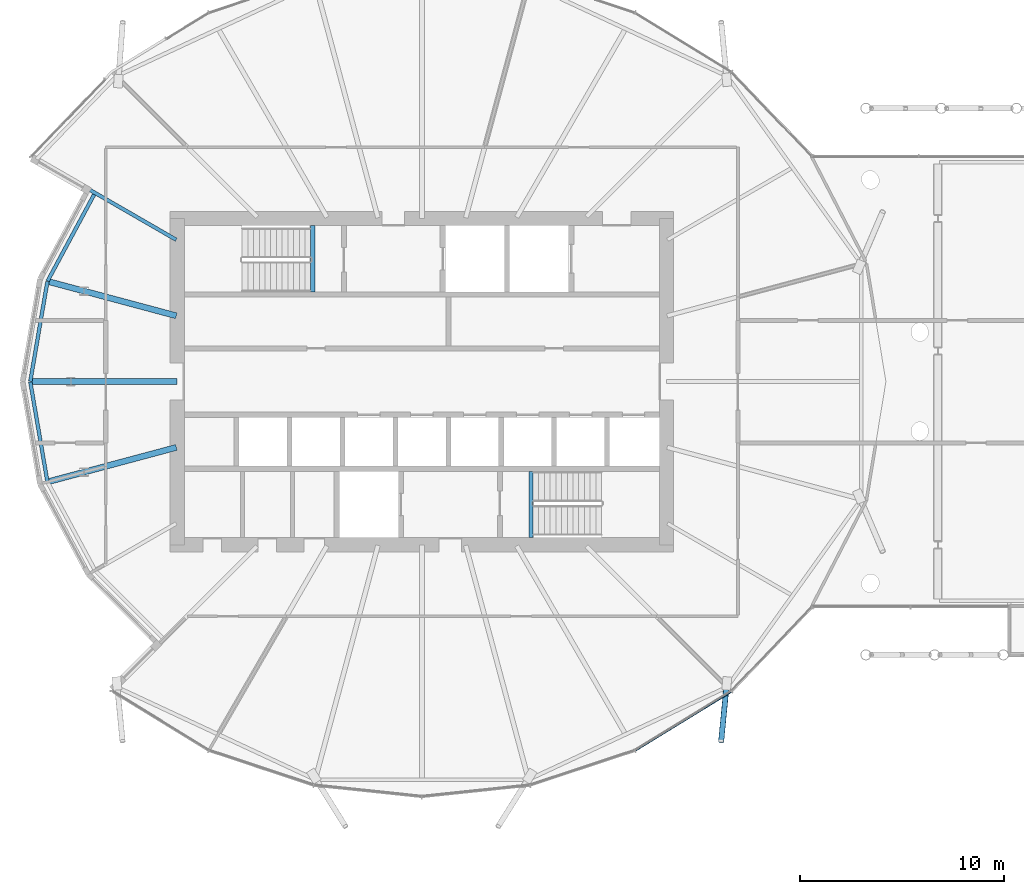
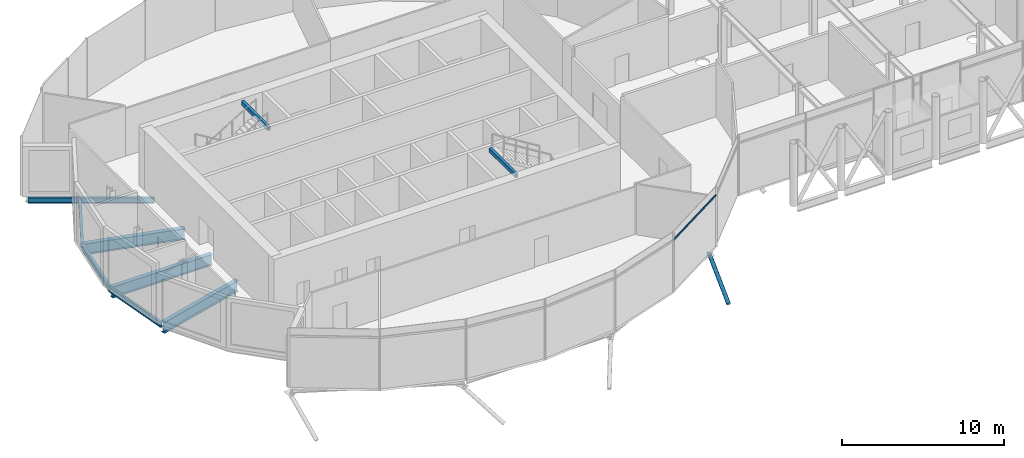
# One storey, part 5 of 36: 9 beams, 2 members, 1 element without a shape of its own.
"""IFC4 building model written with IfcOpenShell, lengths in metres."""

from ifc_helpers import new_model, si_unit, direction, frame, origin, origin_2d, place, context, subcontext, project, spatial, rectangle, hollow_rectangle, hollow_circle, i_section, extrude, clip, halfspace, material, material_profile, profile_set, type_object, element, aggregate, save


model = new_model("IFC4")

# Units and contexts
model_context = context("Model", 3, precision=1e-05, world=origin(), true_north=direction((0.0, 1.0)))
body_context = subcontext(model_context, "Body", "Model", "MODEL_VIEW")
ifc_project = project(units=[si_unit("LENGTHUNIT", "METRE"), si_unit("AREAUNIT", "SQUARE_METRE"), si_unit("VOLUMEUNIT", "CUBIC_METRE"), si_unit("PLANEANGLEUNIT", "RADIAN"), si_unit("MASSUNIT", "GRAM", prefix="KILO")], contexts=[model_context])

# Site, building, storey
site_placement = place(None, origin())
site = spatial("IfcSite", under=ifc_project, at=site_placement, CompositionType="ELEMENT")
building_placement = place(site_placement, origin())
building = spatial("IfcBuilding", under=site, at=building_placement, Name="Rimbun Link Towers", CompositionType="ELEMENT")
storey_placement = place(building_placement, frame((0.0, 0.0, 154.39990234375)))
storey = spatial("IfcBuildingStorey", under=building, at=storey_placement, Name="L37", CompositionType="ELEMENT", Elevation=154.39990234375)

# Curtain wall, member
ifc_material_1 = material(Name="Aluminium 6063-T6 and low-iron glass", Category="aluminium")
curtain_wall_type = type_object("IfcCurtainWallType", Name="CW5 full height lobby wall", PredefinedType="NOTDEFINED", material=ifc_material_1)
curtain_wall_placement = place(storey_placement, origin())
curtain_wall = element("IfcCurtainWall", 1, at=curtain_wall_placement, inside=storey, type_object=curtain_wall_type, Name="CW5 L37 T1", PredefinedType="NOTDEFINED")
ifc_material_2 = material(Name="Aluminium 6063-T6", Category="aluminium")
ifc_material_profile_1 = material_profile(ifc_material_2, rectangle(XDim=0.06005859375, YDim=0.1201171875, at=origin_2d()), Name="TRANSOM 60X120")
ifc_profile_set_1 = profile_set([ifc_material_profile_1], Name="Aluminium 6063-T6")
member_type_1 = type_object("IfcMemberType", Name="CW5 transom 60X120", PredefinedType="USERDEFINED", material=ifc_profile_set_1)
member_1_placement = place(storey_placement, frame((-16.5888671875, -15.22265625, 3.900146484375), z_axis=(-0.852189318435, -0.523233566914, 0.0), x_axis=(0.523233566914, -0.852189318435, 0.0)))
member_1 = element("IfcMember", 2, at=member_1_placement, type_object=member_type_1, Name="CW5 transom", ObjectType="TRANSOM", PredefinedType="USERDEFINED", context=body_context, shape_type="SweptSolid", body=[
    extrude(rectangle(XDim=0.06005859375, YDim=0.1201171875, at=origin_2d()), origin(), (0.0, 0.0, 1.0), 5.489013671875),
])
aggregate(curtain_wall, [member_1])

# Member
ifc_material_3 = material(Name="Steel S355J2H", Category="steel")
ifc_material_profile_2 = material_profile(ifc_material_3, hollow_circle(Radius=0.136474609375, WallThickness=0.012451171875, at=origin_2d()), Name="CHS 273x12.5")
ifc_profile_set_2 = profile_set([ifc_material_profile_2], Name="Steel S355J2H")
member_type_2 = type_object("IfcMemberType", Name="Floor edge link CHS 273x12.5", PredefinedType="BRACE", material=ifc_profile_set_2)
member_2_placement = place(storey_placement, frame((-16.81298828125, -14.93701171875, -0.826416015625), z_axis=(-0.079964346509, -0.825951437822, -0.558041150496), x_axis=(0.995346134985, -0.096364265003, 0.0)))
element("IfcMember", 3, at=member_2_placement, inside=storey, type_object=member_type_2, Name="Floor edge link T1 L37 21", PredefinedType="BRACE", context=body_context, shape_type="Clipping", body=[
    clip(extrude(hollow_circle(Radius=0.136474609375, WallThickness=0.012451171875, at=origin_2d()), frame((0.0, 0.0, -0.423828125)), (0.0, 0.0, 1.0), 3.708984375), halfspace(frame((0.0, 0.0, -0.19970703125), z_axis=(0.0, 0.8298132768, -0.558041150496)), False)),
])

# Beams
ifc_material_4 = material(Name="Steel S355J2", Category="steel")
ifc_material_profile_3 = material_profile(ifc_material_4, hollow_rectangle(XDim=0.199951171875, YDim=0.300048828125, WallThickness=0.011962890625, at=origin_2d()), Name="BOX 300x200x12")
ifc_profile_set_3 = profile_set([ifc_material_profile_3], Name="Steel S355J2")
beam_type_1 = type_object("IfcBeamType", Name="Stair trimmer beam BOX 300x200x12", PredefinedType="BEAM", material=ifc_profile_set_3)
for number, where, z_axis, x_axis, name in (
    (4, (-37.10009765625, 7.64990234375, 4.2001953125), (0.0, -1.0, 0.0), (1.0, 0.0, 0.0), "L37 ST1 stair beam 1"),
    (5, (-26.39990234375, -7.64990234375, 4.2001953125), (0.0, 1.0, 0.0), (-1.0, 0.0, 0.0), "L37 ST2 stair beam 1"),
):
    element("IfcBeam", number, at=place(storey_placement, frame(where, z_axis=z_axis, x_axis=x_axis)), inside=storey, type_object=beam_type_1, Name=name, PredefinedType="BEAM", context=body_context, shape_type="SweptSolid", body=[
        extrude(hollow_rectangle(XDim=0.199951171875, YDim=0.300048828125, WallThickness=0.011962890625, at=origin_2d()), origin(), (0.0, 0.0, 1.0), 3.25),
    ])
ifc_material_5 = material(Name="Steel S355J2", Category="steel")
ifc_material_profile_4 = material_profile(ifc_material_5, i_section(OverallWidth=0.177978515625, OverallDepth=0.406494140625, WebThickness=0.0078125, FlangeThickness=0.0126953125, at=origin_2d()), Name="UB 406x178x60")
ifc_profile_set_4 = profile_set([ifc_material_profile_4], Name="Steel S355J2")
beam_type_2 = type_object("IfcBeamType", Name="UB 406x178x60", PredefinedType="BEAM", material=ifc_profile_set_4)
beam_1_placement = place(storey_placement, frame((-43.79541015625, 6.954345703125, -0.383056640625), z_axis=(-0.866028250644, 0.499995069063, 0.0), x_axis=(-0.499995069063, -0.866028250644, 0.0)))
element("IfcBeam", 6, at=beam_1_placement, inside=storey, type_object=beam_type_2, Name="Radial beam T1 L37 10", PredefinedType="BEAM", context=body_context, shape_type="SweptSolid", body=[
    extrude(i_section(OverallWidth=0.177978515625, OverallDepth=0.406494140625, WebThickness=0.0078125, FlangeThickness=0.0126953125, at=origin_2d()), origin(), (0.0, 0.0, 1.0), 7.8037109375),
])
beam_2_placement = place(storey_placement, frame((-47.81884765625, 9.17041015625, -0.383056640625), z_axis=(-0.474036297712, -0.880505302909, 0.0), x_axis=(0.880505302909, -0.474036297712, 0.0)))
element("IfcBeam", 7, at=beam_2_placement, inside=storey, type_object=beam_type_2, Name="Edge beam T1 L37 10 recess", PredefinedType="BEAM", context=body_context, shape_type="SweptSolid", body=[
    extrude(i_section(OverallWidth=0.177978515625, OverallDepth=0.406494140625, WebThickness=0.0078125, FlangeThickness=0.0126953125, at=origin_2d()), origin(), (0.0, 0.0, 1.0), 4.81298828125),
])
for number, where, z_axis, x_axis, name in (
    (8, (-50.1103515625, 4.903564453125, -0.383056640625), (-0.168780690541, -0.985653630085, 0.0), (0.985653630085, -0.168780690541, 0.0), "Edge beam T1 L37 11 recess"),
    (9, (-50.947265625, -0.01611328125, -0.383056640625), (0.168780690541, -0.985653630085, 0.0), (0.985653630085, 0.168780690541, 0.0), "Edge beam T1 L37 12 recess"),
):
    element("IfcBeam", number, at=place(storey_placement, frame(where, z_axis=z_axis, x_axis=x_axis)), inside=storey, type_object=beam_type_2, Name=name, PredefinedType="BEAM", context=body_context, shape_type="SweptSolid", body=[
        extrude(i_section(OverallWidth=0.177978515625, OverallDepth=0.406494140625, WebThickness=0.0078125, FlangeThickness=0.0126953125, at=origin_2d()), origin(), (0.0, 0.0, 1.0), 4.95849609375),
    ])
ifc_material_6 = material(Name="Steel S355J2", Category="steel")
ifc_material_profile_5 = material_profile(ifc_material_6, i_section(OverallWidth=0.29248046875, OverallDepth=0.8408203125, WebThickness=0.0126953125, FlangeThickness=0.021728515625, at=origin_2d()), Name="UB 838x292x194")
ifc_profile_set_5 = profile_set([ifc_material_profile_5], Name="Steel S355J2")
beam_type_3 = type_object("IfcBeamType", Name="UB 838x292x194", PredefinedType="BEAM", material=ifc_profile_set_5)
beam_3_placement = place(storey_placement, frame((-43.788818359375, 3.225830078125, -0.600341796875), z_axis=(-0.96592964011, 0.258804811311, 0.0), x_axis=(-0.258804811311, -0.96592964011, 0.0)))
element("IfcBeam", 10, at=beam_3_placement, inside=storey, type_object=beam_type_3, Name="Radial beam T1 L37 11", PredefinedType="BEAM", context=body_context, shape_type="SweptSolid", body=[
    extrude(i_section(OverallWidth=0.29248046875, OverallDepth=0.8408203125, WebThickness=0.0126953125, FlangeThickness=0.021728515625, at=origin_2d()), origin(), (0.0, 0.0, 1.0), 6.451416015625),
])
beam_4_placement = place(storey_placement, frame((-43.7509765625, 0.0, -0.600341796875), z_axis=(-1.0, 0.0, 0.0), x_axis=(0.0, -1.0, 0.0)))
element("IfcBeam", 11, at=beam_4_placement, inside=storey, type_object=beam_type_3, Name="Radial beam T1 L37 12", PredefinedType="BEAM", context=body_context, shape_type="SweptSolid", body=[
    extrude(i_section(OverallWidth=0.29248046875, OverallDepth=0.8408203125, WebThickness=0.0126953125, FlangeThickness=0.021728515625, at=origin_2d()), origin(), (0.0, 0.0, 1.0), 7.109130859375),
])
beam_5_placement = place(storey_placement, frame((-43.788818359375, -3.225830078125, -0.600341796875), z_axis=(-0.96592964011, -0.258804811311, 0.0), x_axis=(0.258804811311, -0.96592964011, 0.0)))
element("IfcBeam", 12, at=beam_5_placement, inside=storey, type_object=beam_type_3, Name="Radial beam T1 L37 13", PredefinedType="BEAM", context=body_context, shape_type="SweptSolid", body=[
    extrude(i_section(OverallWidth=0.29248046875, OverallDepth=0.8408203125, WebThickness=0.0126953125, FlangeThickness=0.021728515625, at=origin_2d()), origin(), (0.0, 0.0, 1.0), 6.451416015625),
])

save(model, "model.ifc")
